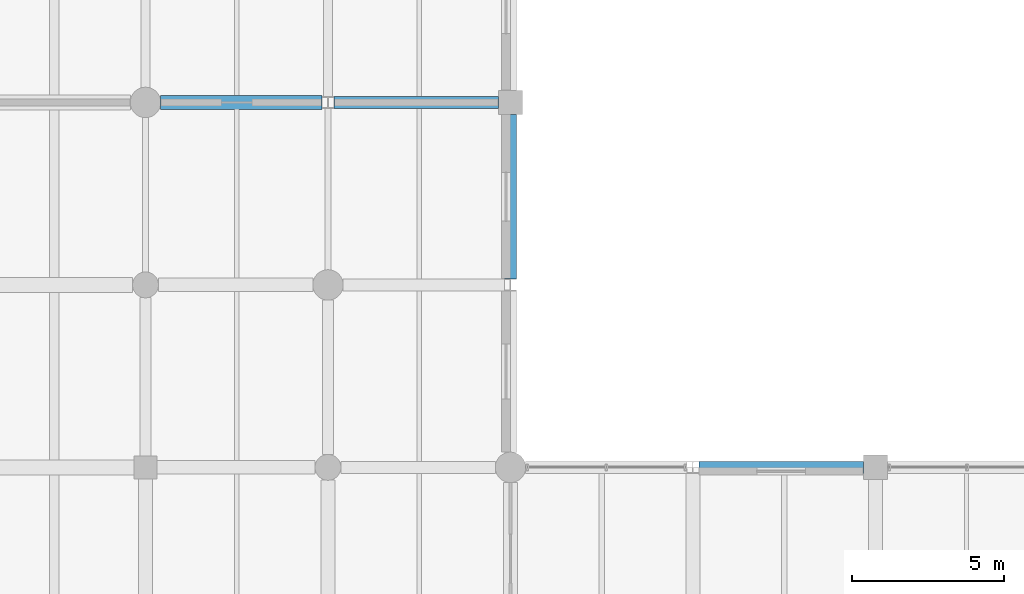
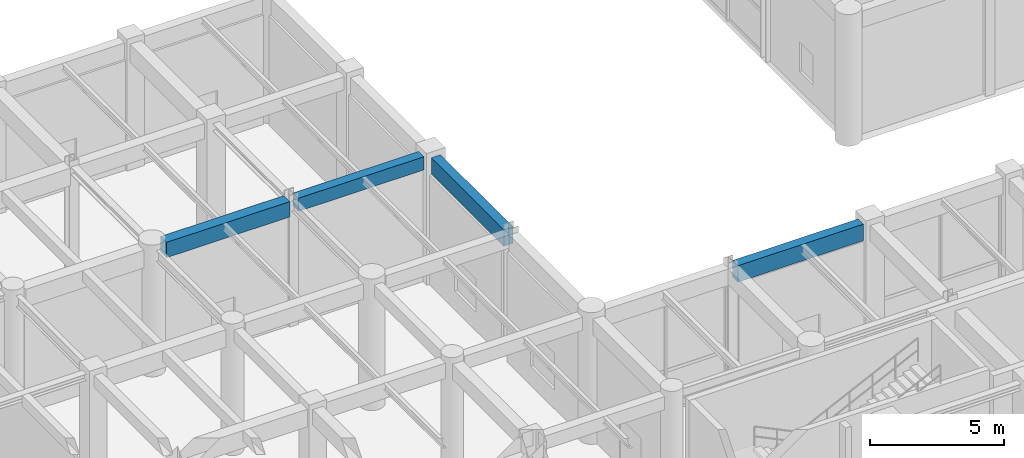
# One storey, part 35 of 106: 4 beams.
"""IFC4 building model written with IfcOpenShell, lengths in metres."""

from ifc_helpers import new_model, si_unit, direction, frame, origin, origin_2d, place, context, subcontext, project, spatial, rectangle, extrude, material, material_profile, profile_set, type_object, element, save


model = new_model("IFC4")

# Units and contexts
model_context = context("Model", 3, precision=1e-05, world=origin(), true_north=direction((0.0, 1.0)))
body_context = subcontext(model_context, "Body", "Model", "MODEL_VIEW")
ifc_project = project(units=[si_unit("LENGTHUNIT", "METRE"), si_unit("AREAUNIT", "SQUARE_METRE"), si_unit("VOLUMEUNIT", "CUBIC_METRE"), si_unit("PLANEANGLEUNIT", "RADIAN"), si_unit("MASSUNIT", "GRAM", prefix="KILO"), si_unit("THERMODYNAMICTEMPERATUREUNIT", "KELVIN"), si_unit("POWERUNIT", "WATT")], contexts=[model_context])

# Site, building, storey
site_placement = place(None, origin())
site = spatial("IfcSite", under=ifc_project, at=site_placement, CompositionType="ELEMENT")
building_placement = place(site_placement, origin())
building = spatial("IfcBuilding", under=site, at=building_placement, Name="Phaisarnlok Congress Hotel", CompositionType="ELEMENT")
storey_placement = place(building_placement, origin())
storey = spatial("IfcBuildingStorey", under=building, at=storey_placement, Name="L00", CompositionType="ELEMENT", Elevation=0.0)

# Beams
ifc_material = material(Name="Concrete C40/50", Category="concrete")
ifc_material_profile_1 = material_profile(ifc_material, rectangle(XDim=0.39990234375, YDim=0.60009765625, at=origin_2d()), Name="RC 400x600")
ifc_profile_set_1 = profile_set([ifc_material_profile_1], Name="Concrete C40/50")
beam_type_1 = type_object("IfcBeamType", Name="BM-RC-400x600", PredefinedType="BEAM", material=ifc_profile_set_1)
beam_1_placement = place(storey_placement, frame((36.195556640625, 108.0, 5.43994140625), z_axis=(1.0, 0.0, 0.0), x_axis=(0.0, 1.0, 0.0)))
element("IfcBeam", 1, at=beam_1_placement, inside=storey, type_object=beam_type_1, Name="Beam B-02", PredefinedType="BEAM", context=body_context, shape_type="SweptSolid", body=[
    extrude(rectangle(XDim=0.39990234375, YDim=0.60009765625, at=origin_2d()), origin(), (0.0, 0.0, 1.0), 5.409423828125),
])
ifc_material_profile_2 = material_profile(ifc_material, rectangle(XDim=0.449951171875, YDim=0.699951171875, at=origin_2d()), Name="RC 450x700")
ifc_profile_set_2 = profile_set([ifc_material_profile_2], Name="Concrete C40/50")
beam_type_2 = type_object("IfcBeamType", Name="BM-RC-450x700", PredefinedType="BEAM", material=ifc_profile_set_2)
beam_2_placement = place(storey_placement, frame((30.4951171875, 108.0, 5.389892578125), z_axis=(1.0, 0.0, 0.0), x_axis=(0.0, 1.0, 0.0)))
element("IfcBeam", 2, at=beam_2_placement, inside=storey, type_object=beam_type_2, Name="Beam B-03", PredefinedType="BEAM", context=body_context, shape_type="SweptSolid", body=[
    extrude(rectangle(XDim=0.449951171875, YDim=0.699951171875, at=origin_2d()), origin(), (0.0, 0.0, 1.0), 5.309326171875),
])
ifc_material_profile_3 = material_profile(ifc_material, rectangle(XDim=0.39990234375, YDim=0.75, at=origin_2d()), Name="RC 400x750")
ifc_profile_set_3 = profile_set([ifc_material_profile_3], Name="Concrete C40/50")
beam_type_3 = type_object("IfcBeamType", Name="SP-RC-400x750", PredefinedType="SPANDREL", material=ifc_profile_set_3)
beam_3_placement = place(storey_placement, frame((42.0, 102.194580078125, 5.364990234375), z_axis=(0.0, 1.0, 0.0), x_axis=(-1.0, 0.0, 0.0)))
element("IfcBeam", 3, at=beam_3_placement, inside=storey, type_object=beam_type_3, Name="Beam SP-02", PredefinedType="SPANDREL", context=body_context, shape_type="SweptSolid", body=[
    extrude(rectangle(XDim=0.39990234375, YDim=0.75, at=origin_2d()), origin(), (0.0, 0.0, 1.0), 5.410400390625),
])
beam_4_placement = place(storey_placement, frame((48.195556640625, 96.0, 5.364990234375), z_axis=(1.0, 0.0, 0.0), x_axis=(0.0, 1.0, 0.0)))
element("IfcBeam", 4, at=beam_4_placement, inside=storey, type_object=beam_type_3, Name="Beam SP-02", PredefinedType="SPANDREL", context=body_context, shape_type="SweptSolid", body=[
    extrude(rectangle(XDim=0.39990234375, YDim=0.75, at=origin_2d()), origin(), (0.0, 0.0, 1.0), 5.409423828125),
])

save(model, "model.ifc")
